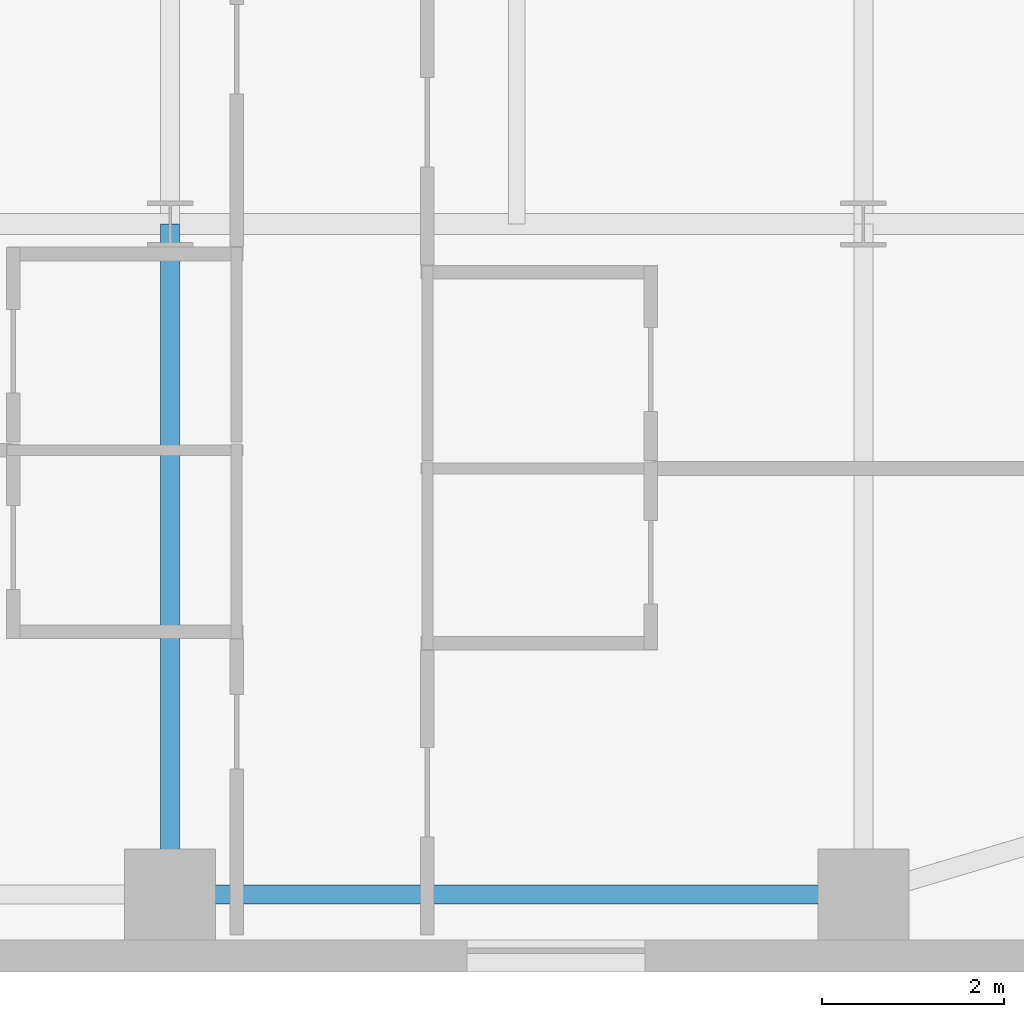
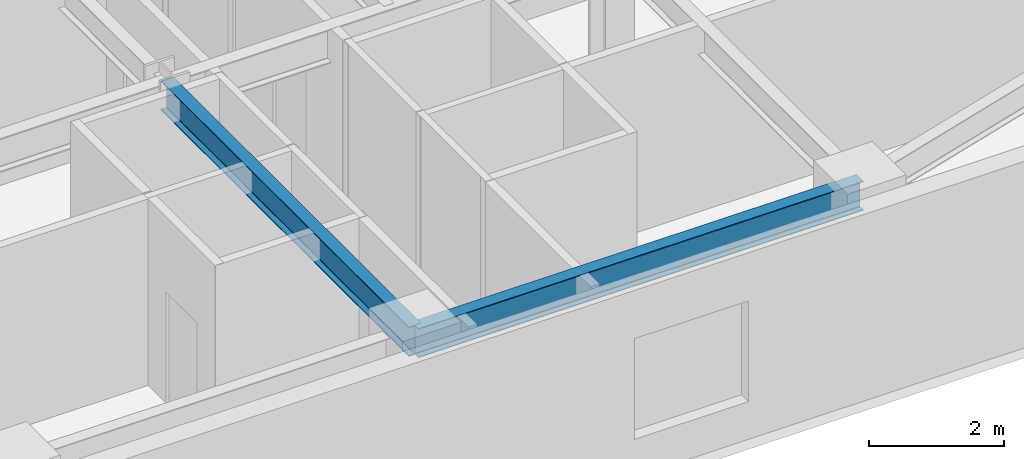
# One storey, part 14 of 30: 2 beams.
"""IFC4 building model written with IfcOpenShell, lengths in metres."""

from ifc_helpers import new_model, si_unit, direction, frame, origin, origin_2d, place, context, subcontext, project, spatial, i_section, extrude, source, transform, mapped, material, material_profile, profile_set, type_object, type_shapes, element, save


model = new_model("IFC4")

# Units and contexts
model_context = context("Model", 3, precision=1e-05, world=origin(), true_north=direction((0.0, 1.0)))
body_context = subcontext(model_context, "Body", "Model", "MODEL_VIEW")
ifc_project = project(units=[si_unit("LENGTHUNIT", "METRE"), si_unit("AREAUNIT", "SQUARE_METRE"), si_unit("VOLUMEUNIT", "CUBIC_METRE"), si_unit("PLANEANGLEUNIT", "RADIAN"), si_unit("MASSUNIT", "GRAM", prefix="KILO")], contexts=[model_context])

# Site, building, storey
site_placement = place(None, origin())
site = spatial("IfcSite", under=ifc_project, at=site_placement, CompositionType="ELEMENT")
building_placement = place(site_placement, origin())
building = spatial("IfcBuilding", under=site, at=building_placement, Name="Tolvann Quenvar Hotel", CompositionType="ELEMENT")
storey_placement = place(building_placement, frame((0.0, 0.0, 56.85009765625)))
storey = spatial("IfcBuildingStorey", under=building, at=storey_placement, Name="L13", CompositionType="ELEMENT", Elevation=56.85009765625)

# Beams
ifc_material = material(Name="Steel Grade 350", Category="steel")
ifc_material_profile_1 = material_profile(ifc_material, i_section(OverallWidth=0.208984375, OverallDepth=0.528076171875, WebThickness=0.009521484375, FlangeThickness=0.01318359375, FilletRadius=0.013916015625, at=origin_2d()), Name="530UB82")
ifc_profile_set_1 = profile_set([ifc_material_profile_1], Name="Steel Grade 350")
beam_type_1 = type_object("IfcBeamType", Name="BM_SPAND_530UB82", PredefinedType="SPANDREL", material=ifc_profile_set_1)
shared_shape_1 = source(origin(), body_context, "Body", "SweptSolid", [
    extrude(i_section(OverallWidth=0.208984375, OverallDepth=0.528076171875, WebThickness=0.009521484375, FlangeThickness=0.01318359375, FilletRadius=0.013916015625, at=origin_2d()), origin(), (0.0, 0.0, 1.0), 7.599853515625),
])
type_shapes(beam_type_1, [shared_shape_1])
beam_1_placement = place(storey_placement, frame((41.800048828125, 0.85009765625, 3.10595703125), z_axis=(1.0, 0.0, 0.0), x_axis=(0.0, 1.0, 0.0)))
element("IfcBeam", 1, at=beam_1_placement, inside=storey, type_object=beam_type_1, Name="BM-L13-EW-2-H2-I2", PredefinedType="SPANDREL", context=body_context, shape_type="MappedRepresentation", body=[
    mapped(shared_shape_1, transform((0.0, 0.0, 0.0), x_axis=(1.0, 0.0, 0.0), y_axis=(0.0, 1.0, 0.0), z_axis=(0.0, 0.0, 1.0), scale=1.0)),
])
ifc_material_profile_2 = material_profile(ifc_material, i_section(OverallWidth=0.208984375, OverallDepth=0.532958984375, WebThickness=0.01025390625, FlangeThickness=0.015625, FilletRadius=0.013916015625, at=origin_2d()), Name="530UB92")
ifc_profile_set_2 = profile_set([ifc_material_profile_2], Name="Steel Grade 350")
beam_type_2 = type_object("IfcBeamType", Name="BM_GIRD_530UB92", PredefinedType="BEAM", material=ifc_profile_set_2)
shared_shape_2 = source(origin(), body_context, "Body", "SweptSolid", [
    extrude(i_section(OverallWidth=0.208984375, OverallDepth=0.532958984375, WebThickness=0.01025390625, FlangeThickness=0.015625, FilletRadius=0.013916015625, at=origin_2d()), origin(), (0.0, 0.0, 1.0), 7.349853515625),
])
type_shapes(beam_type_2, [shared_shape_2])
beam_2_placement = place(storey_placement, frame((41.800048828125, 0.85009765625, 3.103515625), z_axis=(0.0, 1.0, 0.0), x_axis=(-1.0, 0.0, 0.0)))
element("IfcBeam", 2, at=beam_2_placement, inside=storey, type_object=beam_type_2, Name="BM-L13-NS-H2-H3", PredefinedType="BEAM", context=body_context, shape_type="MappedRepresentation", body=[
    mapped(shared_shape_2, transform((0.0, 0.0, 0.0), x_axis=(1.0, 0.0, 0.0), y_axis=(0.0, 1.0, 0.0), z_axis=(0.0, 0.0, 1.0), scale=1.0)),
])

save(model, "model.ifc")
